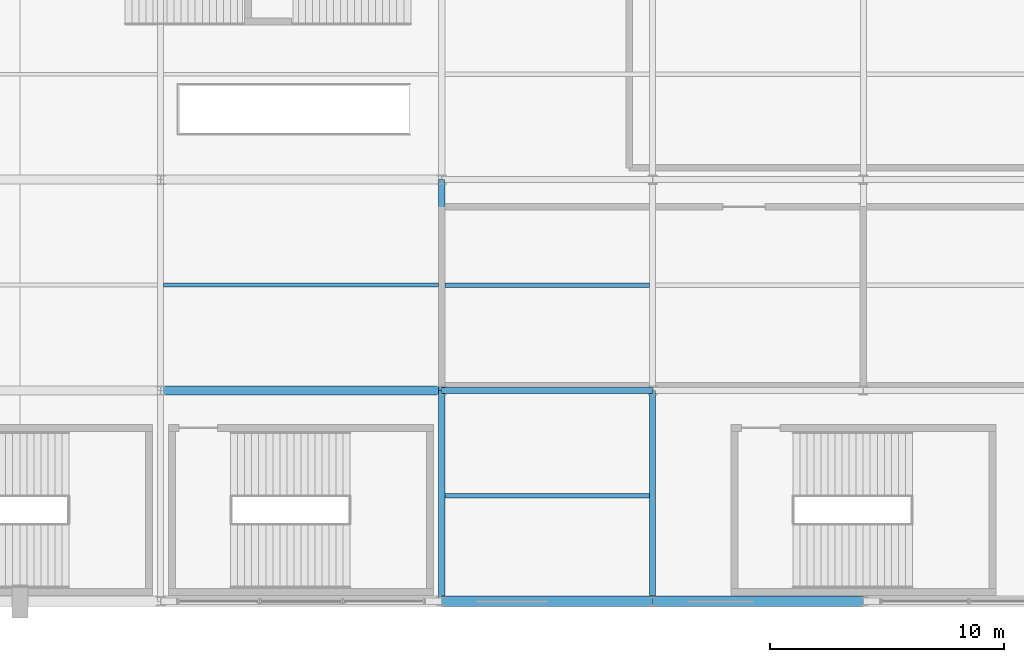
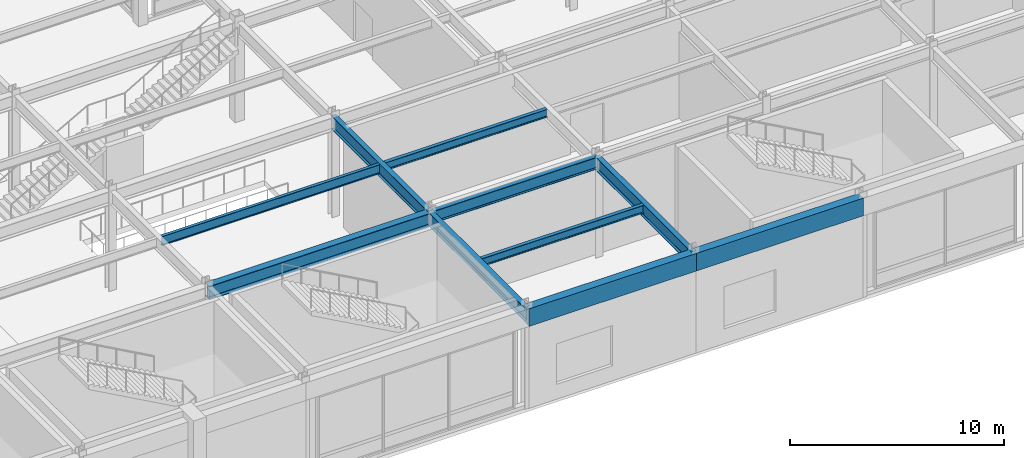
# One storey, part 35 of 105: 10 beams.
"""IFC4 building model written with IfcOpenShell, lengths in metres."""

from ifc_helpers import new_model, si_unit, direction, frame, origin, origin_2d, place, context, subcontext, project, spatial, rectangle, i_section, extrude, material, material_profile, profile_set, type_object, element, save


model = new_model("IFC4")

# Units and contexts
model_context = context("Model", 3, precision=1e-05, world=origin(), true_north=direction((0.0, 1.0)))
body_context = subcontext(model_context, "Body", "Model", "MODEL_VIEW")
ifc_project = project(units=[si_unit("LENGTHUNIT", "METRE"), si_unit("AREAUNIT", "SQUARE_METRE"), si_unit("VOLUMEUNIT", "CUBIC_METRE"), si_unit("PLANEANGLEUNIT", "RADIAN"), si_unit("MASSUNIT", "GRAM", prefix="KILO")], contexts=[model_context])

# Site, building, storey
site_placement = place(None, origin())
site = spatial("IfcSite", under=ifc_project, at=site_placement, CompositionType="ELEMENT")
building_placement = place(site_placement, origin())
building = spatial("IfcBuilding", under=site, at=building_placement, Name="Kaldorvane Square Convention Centre", CompositionType="ELEMENT")
storey_placement = place(building_placement, frame((0.0, 0.0, 6.0)))
storey = spatial("IfcBuildingStorey", under=building, at=storey_placement, Name="L01", CompositionType="ELEMENT", Elevation=6.0)

# Beams
ifc_material_1 = material(Name="Steel ASTM A992 Gr. 50", Category="steel")
ifc_material_profile_1 = material_profile(ifc_material_1, i_section(OverallWidth=0.25439453125, OverallDepth=0.6880950927734375, WebThickness=0.0131072998046875, FlangeThickness=0.0211029052734375, FilletRadius=0.01519775390625, at=origin_2d()), Name="W27X102")
ifc_profile_set_1 = profile_set([ifc_material_profile_1], Name="Steel ASTM A992 Gr. 50")
beam_type_1 = type_object("IfcBeamType", Name="BM-GR-W27X102", PredefinedType="BEAM", material=ifc_profile_set_1)
beam_1_placement = place(storey_placement, frame((138.0, 9.0, 5.332000732421875), z_axis=(1.0, 0.0, 0.0), x_axis=(0.0, 1.0, 0.0)))
element("IfcBeam", 1, at=beam_1_placement, inside=storey, type_object=beam_type_1, Name="Primary Girder (L01)", PredefinedType="BEAM", context=body_context, shape_type="SweptSolid", body=[
    extrude(i_section(OverallWidth=0.25439453125, OverallDepth=0.6880950927734375, WebThickness=0.0131072998046875, FlangeThickness=0.0211029052734375, FilletRadius=0.01519775390625, at=origin_2d()), origin(), (0.0, 0.0, 1.0), 9.0),
])
ifc_material_profile_2 = material_profile(ifc_material_1, i_section(OverallWidth=0.2666015625, OverallDepth=0.762298583984375, WebThickness=0.014404296875, FlangeThickness=0.0216064453125, FilletRadius=0.0164947509765625, at=origin_2d()), Name="W30X116")
ifc_profile_set_2 = profile_set([ifc_material_profile_2], Name="Steel ASTM A992 Gr. 50")
beam_type_2 = type_object("IfcBeamType", Name="BM-GR-W30X116", PredefinedType="BEAM", material=ifc_profile_set_2)
for number, where, z_axis, x_axis, name in (
    (2, (138.0, 0.0, 5.2949066162109375), (0.0, 1.0, 0.0), (-1.0, 0.0, 0.0), "Transverse Girder (L01)"),
    (3, (138.0, 9.0, 5.2949066162109375), (0.0, 1.0, 0.0), (-1.0, 0.0, 0.0), "Transverse Girder (L01)"),
    (4, (147.0, 0.0, 5.2949066162109375), (0.0, 1.0, 0.0), (-1.0, 0.0, 0.0), "Transverse Girder (L01)"),
):
    element("IfcBeam", number, at=place(storey_placement, frame(where, z_axis=z_axis, x_axis=x_axis)), inside=storey, type_object=beam_type_2, Name=name, PredefinedType="BEAM", context=body_context, shape_type="SweptSolid", body=[
        extrude(i_section(OverallWidth=0.2666015625, OverallDepth=0.762298583984375, WebThickness=0.014404296875, FlangeThickness=0.0216064453125, FilletRadius=0.0164947509765625, at=origin_2d()), origin(), (0.0, 0.0, 1.0), 9.0),
    ])
ifc_material_profile_3 = material_profile(ifc_material_1, i_section(OverallWidth=0.380706787109375, OverallDepth=0.773193359375, WebThickness=0.0166015625, FlangeThickness=0.027099609375, FilletRadius=0.0164947509765625, at=origin_2d()), Name="W30X173")
ifc_profile_set_3 = profile_set([ifc_material_profile_3], Name="Steel ASTM A992 Gr. 50")
beam_type_3 = type_object("IfcBeamType", Name="BM-GR-W30X173", PredefinedType="BEAM", material=ifc_profile_set_3)
beam_2_placement = place(storey_placement, frame((126.0, 9.0, 5.289398193359375), z_axis=(1.0, 0.0, 0.0), x_axis=(0.0, 1.0, 0.0)))
element("IfcBeam", 5, at=beam_2_placement, inside=storey, type_object=beam_type_3, Name="Primary Girder (L01)", PredefinedType="BEAM", context=body_context, shape_type="SweptSolid", body=[
    extrude(i_section(OverallWidth=0.380706787109375, OverallDepth=0.773193359375, WebThickness=0.0166015625, FlangeThickness=0.027099609375, FilletRadius=0.0164947509765625, at=origin_2d()), origin(), (0.0, 0.0, 1.0), 12.0),
])
ifc_material_profile_4 = material_profile(ifc_material_1, i_section(OverallWidth=0.1912994384765625, OverallDepth=0.4600067138671875, WebThickness=0.0099029541015625, FlangeThickness=0.0160064697265625, FilletRadius=0.01019287109375, at=origin_2d()), Name="W18X55")
ifc_profile_set_4 = profile_set([ifc_material_profile_4], Name="Steel ASTM A992 Gr. 50")
beam_type_4 = type_object("IfcBeamType", Name="BM-JS-W18X55", PredefinedType="JOIST", material=ifc_profile_set_4)
for number, where, z_axis, x_axis, name in (
    (6, (138.13330078125, 4.5, 5.4459991455078125), (1.0, 0.0, 0.0), (0.0, 1.0, 0.0), "Secondary Floor Joist (L01)"),
    (7, (138.13330078125, 13.5, 5.4459991455078125), (1.0, 0.0, 0.0), (0.0, 1.0, 0.0), "Secondary Floor Joist (L01)"),
):
    element("IfcBeam", number, at=place(storey_placement, frame(where, z_axis=z_axis, x_axis=x_axis)), inside=storey, type_object=beam_type_4, Name=name, PredefinedType="JOIST", context=body_context, shape_type="SweptSolid", body=[
        extrude(i_section(OverallWidth=0.1912994384765625, OverallDepth=0.4600067138671875, WebThickness=0.0099029541015625, FlangeThickness=0.0160064697265625, FilletRadius=0.01019287109375, at=origin_2d()), origin(), (0.0, 0.0, 1.0), 8.7333984375),
    ])
ifc_material_profile_5 = material_profile(ifc_material_1, i_section(OverallWidth=0.1658935546875, OverallDepth=0.5290985107421875, WebThickness=0.00970458984375, FlangeThickness=0.0135955810546875, FilletRadius=0.0126953125, at=origin_2d()), Name="W21X50")
ifc_profile_set_5 = profile_set([ifc_material_profile_5], Name="Steel ASTM A992 Gr. 50")
beam_type_5 = type_object("IfcBeamType", Name="BM-JS-W21X50", PredefinedType="JOIST", material=ifc_profile_set_5)
beam_3_placement = place(storey_placement, frame((126.13330078125, 13.5, 5.4114990234375), z_axis=(1.0, 0.0, 0.0), x_axis=(0.0, 1.0, 0.0)))
element("IfcBeam", 8, at=beam_3_placement, inside=storey, type_object=beam_type_5, Name="Secondary Floor Joist (L01)", PredefinedType="JOIST", context=body_context, shape_type="SweptSolid", body=[
    extrude(i_section(OverallWidth=0.1658935546875, OverallDepth=0.5290985107421875, WebThickness=0.00970458984375, FlangeThickness=0.0135955810546875, FilletRadius=0.0126953125, at=origin_2d()), origin(), (0.0, 0.0, 1.0), 11.7333984375),
])
ifc_material_2 = material(Name="Concrete f'c = 42 MPa (Normalweight)", Category="concrete")
ifc_material_profile_6 = material_profile(ifc_material_2, rectangle(XDim=0.4499969482421875, YDim=1.0, at=origin_2d()), Name="RCSP1000X450")
ifc_profile_set_6 = profile_set([ifc_material_profile_6], Name="Concrete f'c = 42 MPa (Normalweight)")
beam_type_6 = type_object("IfcBeamType", Name="BM-SP-RC1000", PredefinedType="SPANDREL", material=ifc_profile_set_6)
for number, where, z_axis, x_axis, name in (
    (9, (138.0, 0.0, 5.175994873046875), (1.0, 0.0, 0.0), (0.0, 1.0, 0.0), "Perimeter Spandrel (L01)"),
    (10, (147.0, 0.0, 5.175994873046875), (1.0, 0.0, 0.0), (0.0, 1.0, 0.0), "Perimeter Spandrel (L01)"),
):
    element("IfcBeam", number, at=place(storey_placement, frame(where, z_axis=z_axis, x_axis=x_axis)), inside=storey, type_object=beam_type_6, Name=name, PredefinedType="SPANDREL", context=body_context, shape_type="SweptSolid", body=[
        extrude(rectangle(XDim=0.4499969482421875, YDim=1.0, at=origin_2d()), origin(), (0.0, 0.0, 1.0), 9.0),
    ])

save(model, "model.ifc")
